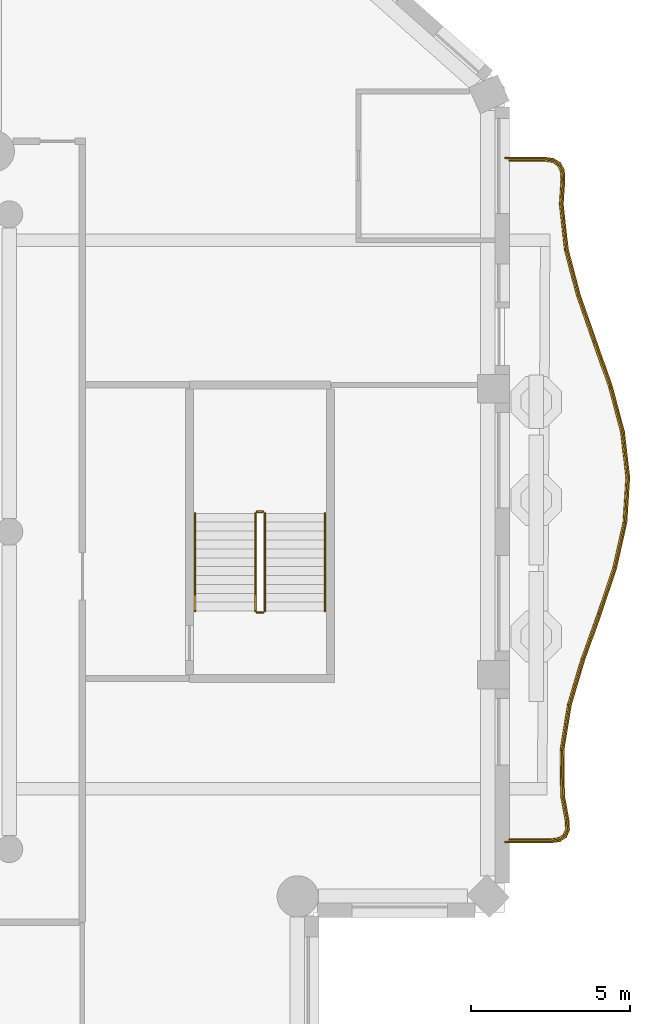
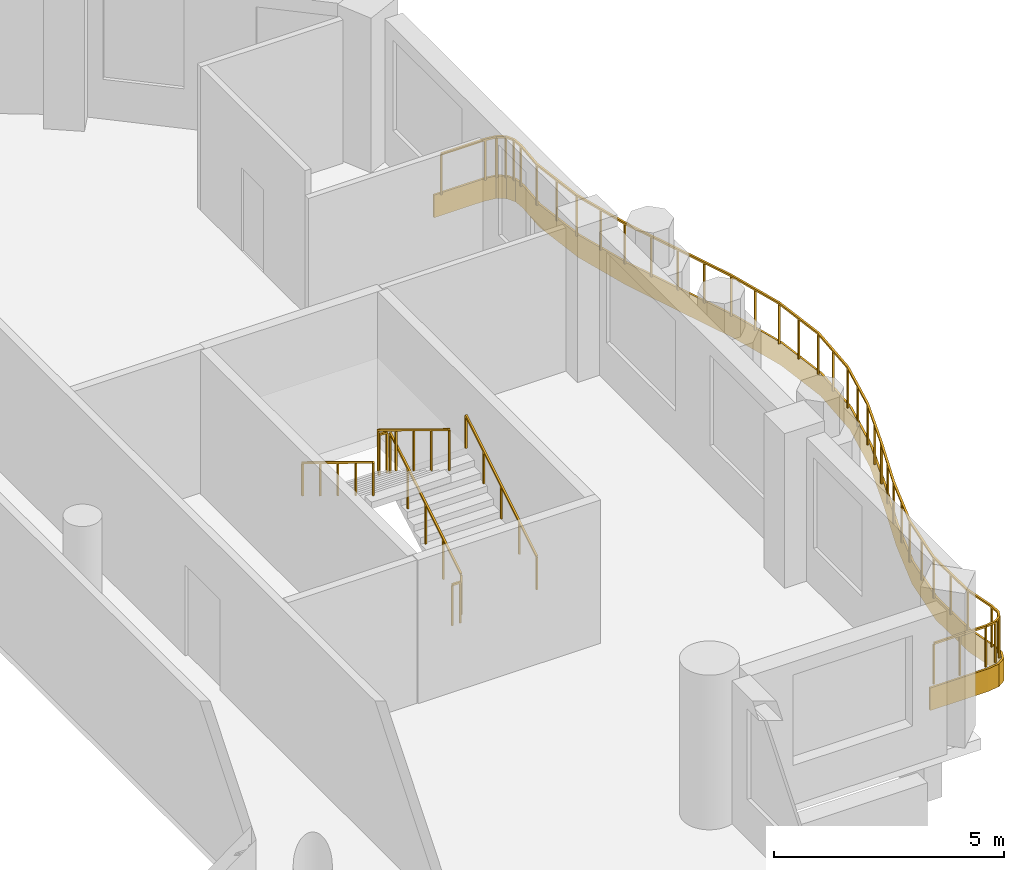
# One storey, part 12 of 14: 7 railings, 1 covering.
"""IFC4 building model written with IfcOpenShell, lengths in metres."""

from ifc_helpers import new_model, si_unit, direction, frame, origin, origin_2d, place, context, subcontext, project, spatial, polyline, rectangle, outline, extrude, material, layer, layer_set, type_object, element, save


model = new_model("IFC4")

# Units and contexts
model_context = context("Model", 3, precision=1e-05, world=origin(), true_north=direction((0.0, 1.0)))
body_context = subcontext(model_context, "Body", "Model", "MODEL_VIEW")
ifc_project = project(units=[si_unit("LENGTHUNIT", "METRE"), si_unit("AREAUNIT", "SQUARE_METRE"), si_unit("VOLUMEUNIT", "CUBIC_METRE"), si_unit("PLANEANGLEUNIT", "RADIAN"), si_unit("MASSUNIT", "GRAM", prefix="KILO")], contexts=[model_context])

# Site, building, storey
site_placement = place(None, origin())
site = spatial("IfcSite", under=ifc_project, at=site_placement, CompositionType="ELEMENT")
building_placement = place(site_placement, origin())
building = spatial("IfcBuilding", under=site, at=building_placement, Name="Cypress Arch Tower", CompositionType="ELEMENT")
storey_placement = place(building_placement, frame((0.0, 0.0, 304.89990234375)))
storey = spatial("IfcBuildingStorey", under=building, at=storey_placement, Name="L69", CompositionType="ELEMENT", Elevation=304.89990234375)

# Covering
ifc_material_1 = material(Name="White powder-coated aluminium fascia", Category="aluminium")
ifc_layer = layer(ifc_material_1, 0.050048828125)
ifc_layer_set = layer_set([ifc_layer], Name="Balcony fascia BF50")
covering_type = type_object("IfcCoveringType", Name="Balcony fascia BF50", PredefinedType="CLADDING", material=ifc_layer_set)
covering_placement = place(storey_placement, frame((0.0, 0.0, -0.599853515625)))
element("IfcCovering", 1, at=covering_placement, inside=storey, type_object=covering_type, Name="Balcony fascia L69-C17", PredefinedType="CLADDING", context=body_context, shape_type="SweptSolid", body=[
    extrude(outline(polyline([(25.85546875, 11.800048828125), (26.149658203125, 11.757568359375), (26.36376953125, 11.6240234375), (26.482666015625, 11.4013671875), (26.505126953125, 11.105224609375), (26.452392578125, 10.31787109375), (26.612060546875, 8.892578125), (26.98876953125, 7.464599609375), (27.490966796875, 6.033203125), (27.99609375, 4.59814453125), (28.3798828125, 3.159423828125), (28.547119140625, 1.718017578125), (28.456298828125, 0.276123046875), (28.130126953125, -1.16357421875), (27.6494140625, -2.599853515625), (27.132568359375, -4.0322265625), (26.706298828125, -5.461181640625), (26.474365234375, -6.886962890625), (26.492431640625, -8.311767578125), (26.637939453125, -9.099365234375), (26.64990234375, -9.396484375), (26.553955078125, -9.6220703125), (26.349365234375, -9.757568359375), (26.05517578125, -9.800048828125), (24.60107421875, -9.800048828125), (24.60107421875, -9.75), (26.051513671875, -9.75), (26.3310546875, -9.709716796875), (26.513671875, -9.5888671875), (26.599365234375, -9.38720703125), (26.588134765625, -9.10498046875), (26.4423828125, -8.316650390625), (26.42431640625, -6.88330078125), (26.657470703125, -5.449951171875), (27.085205078125, -4.0166015625), (27.602294921875, -2.583251953125), (28.081787109375, -1.14990234375), (28.40673828125, 0.283447265625), (28.4970703125, 1.716552734375), (28.33056640625, 3.14990234375), (27.9482421875, 4.583251953125), (27.44384765625, 6.0166015625), (26.94091796875, 7.449951171875), (26.562744140625, 8.88330078125), (26.402099609375, 10.316650390625), (26.455078125, 11.10498046875), (26.43359375, 11.38720703125), (26.325927734375, 11.5888671875), (26.132080078125, 11.709716796875), (25.851806640625, 11.75), (24.60107421875, 11.75), (24.60107421875, 11.800048828125), (25.85546875, 11.800048828125)])), origin(), (0.0, 0.0, 1.0), 0.599853515625),
])

# Railings
ifc_material_2 = material(Name="Powder-coated steel posts and rods, 100 mm clear between rods", Category="steel")
railing_type_1 = type_object("IfcRailingType", Name="Balcony guard GR1100", PredefinedType="GUARDRAIL", material=ifc_material_2)
railing_1_placement = place(storey_placement, frame((24.75, 11.699951171875, 0.0)))
element("IfcRailing", 2, at=railing_1_placement, inside=storey, type_object=railing_type_1, Name="Balcony guard L69-C17", PredefinedType="GUARDRAIL", context=body_context, shape_type="SweptSolid", body=[
    extrude(rectangle(XDim=0.050048828125, YDim=0.050048828125, at=origin_2d()), frame((0.0, 0.0, 1.0751953125), z_axis=(1.0, 0.0, 0.0), x_axis=(0.0, 1.0, 0.0)), (0.0, 0.0, 1.0), 1.098388671875),
    extrude(rectangle(XDim=0.050048828125, YDim=0.050048828125, at=origin_2d()), frame((1.098388671875, 0.0, 1.0751953125), z_axis=(0.989785381673, -0.14256541736, 0.0), x_axis=(0.14256541736, 0.989785381673, 0.0)), (0.0, 0.0, 1.0), 0.268798828125),
    extrude(rectangle(XDim=0.050048828125, YDim=0.050048828125, at=origin_2d()), frame((1.364501953125, -0.038330078125, 1.0751953125), z_axis=(0.848735174941, -0.528818118845, 0.0), x_axis=(0.528818118845, 0.848735174941, 0.0)), (0.0, 0.0, 1.0), 0.20458984375),
    extrude(rectangle(XDim=0.050048828125, YDim=0.050048828125, at=origin_2d()), frame((1.5380859375, -0.146484375, 1.0751953125), z_axis=(0.470897586762, -0.88218788406, 0.0), x_axis=(0.88218788406, 0.470897586762, 0.0)), (0.0, 0.0, 1.0), 0.204833984375),
    extrude(rectangle(XDim=0.050048828125, YDim=0.050048828125, at=origin_2d()), frame((1.634521484375, -0.3271484375, 1.0751953125), z_axis=(0.076279837613, -0.997086448797, 0.0), x_axis=(0.997086448797, 0.076279837613, 0.0)), (0.0, 0.0, 1.0), 0.268798828125),
    extrude(rectangle(XDim=0.050048828125, YDim=0.050048828125, at=origin_2d()), frame((1.655029296875, -0.59521484375, 1.0751953125), z_axis=(-0.06696963749, -0.997755013846, 0.0), x_axis=(0.997755013846, -0.06696963749, 0.0)), (0.0, 0.0, 1.0), 0.791015625),
    extrude(rectangle(XDim=0.050048828125, YDim=0.050048828125, at=origin_2d()), frame((1.60205078125, -1.384521484375, 1.0751953125), z_axis=(0.1112628489, -0.99379101347, 0.0), x_axis=(0.99379101347, 0.1112628489, 0.0)), (0.0, 0.0, 1.0), 1.450439453125),
    extrude(rectangle(XDim=0.050048828125, YDim=0.050048828125, at=origin_2d()), frame((1.763427734375, -2.825927734375, 1.0751953125), z_axis=(0.255139347822, -0.966904293709, 0.0), x_axis=(0.966904293709, 0.255139347822, 0.0)), (0.0, 0.0, 1.0), 1.488037109375),
    extrude(rectangle(XDim=0.050048828125, YDim=0.050048828125, at=origin_2d()), frame((2.14306640625, -4.2646484375, 1.0751953125), z_axis=(0.331115291581, -0.943590304995, 0.0), x_axis=(0.943590304995, 0.331115291581, 0.0)), (0.0, 0.0, 1.0), 1.52099609375),
    extrude(rectangle(XDim=0.050048828125, YDim=0.050048828125, at=origin_2d()), frame((2.646728515625, -5.699951171875, 1.0751953125), z_axis=(0.332062622472, -0.943257342806, 0.0), x_axis=(0.943257342806, 0.332062622472, 0.0)), (0.0, 0.0, 1.0), 1.517578125),
    extrude(rectangle(XDim=0.050048828125, YDim=0.050048828125, at=origin_2d()), frame((3.150634765625, -7.13134765625, 1.0751953125), z_axis=(0.257549543856, -0.966265094299, 0.0), x_axis=(0.966265094299, 0.257549543856, 0.0)), (0.0, 0.0, 1.0), 1.477783203125),
    extrude(rectangle(XDim=0.050048828125, YDim=0.050048828125, at=origin_2d()), frame((3.53125, -8.559326171875, 1.0751953125), z_axis=(0.115360307914, -0.993323713277, 0.0), x_axis=(0.993323713277, 0.115360307914, 0.0)), (0.0, 0.0, 1.0), 1.434814453125),
    extrude(rectangle(XDim=0.050048828125, YDim=0.050048828125, at=origin_2d()), frame((3.69677734375, -9.984619140625, 1.0751953125), z_axis=(-0.062761562336, -0.998028549839, 0.0), x_axis=(0.998028549839, -0.062761562336, 0.0)), (0.0, 0.0, 1.0), 1.427734375),
    extrude(rectangle(XDim=0.050048828125, YDim=0.050048828125, at=origin_2d()), frame((3.607177734375, -11.409423828125, 1.0751953125), z_axis=(-0.221080190505, -0.97525563283, 0.0), x_axis=(0.97525563283, -0.221080190505, 0.0)), (0.0, 0.0, 1.0), 1.463134765625),
    extrude(rectangle(XDim=0.050048828125, YDim=0.050048828125, at=origin_2d()), frame((3.28369140625, -12.83642578125, 1.0751953125), z_axis=(-0.317392865854, -0.948294136175, 0.0), x_axis=(0.948294136175, -0.317392865854, 0.0)), (0.0, 0.0, 1.0), 1.50830078125),
    extrude(rectangle(XDim=0.050048828125, YDim=0.050048828125, at=origin_2d()), frame((2.804931640625, -14.266845703125, 1.0751953125), z_axis=(-0.339337500822, -0.94066469081, 0.0), x_axis=(0.94066469081, -0.339337500822, 0.0)), (0.0, 0.0, 1.0), 1.524658203125),
    extrude(rectangle(XDim=0.050048828125, YDim=0.050048828125, at=origin_2d()), frame((2.28759765625, -15.700927734375, 1.0751953125), z_axis=(-0.285899496159, -0.958259608924, 0.0), x_axis=(0.958259608924, -0.285899496159, 0.0)), (0.0, 0.0, 1.0), 1.50048828125),
    extrude(rectangle(XDim=0.050048828125, YDim=0.050048828125, at=origin_2d()), frame((1.858642578125, -17.138671875, 1.0751953125), z_axis=(-0.160546781235, -0.987028232137, 0.0), x_axis=(0.987028232137, -0.160546781235, 0.0)), (0.0, 0.0, 1.0), 1.4599609375),
    extrude(rectangle(XDim=0.050048828125, YDim=0.050048828125, at=origin_2d()), frame((1.624267578125, -18.57958984375, 1.0751953125), z_axis=(0.012528647476, -0.999921513416, 0.0), x_axis=(0.999921513416, 0.012528647476, 0.0)), (0.0, 0.0, 1.0), 1.44189453125),
    extrude(rectangle(XDim=0.050048828125, YDim=0.050048828125, at=origin_2d()), frame((1.642333984375, -20.021484375, 1.0751953125), z_axis=(0.181936733473, -0.983310238436, 0.0), x_axis=(0.983310238436, 0.181936733473, 0.0)), (0.0, 0.0, 1.0), 0.802490234375),
    extrude(rectangle(XDim=0.050048828125, YDim=0.050048828125, at=origin_2d()), frame((1.788330078125, -20.810546875, 1.0751953125), z_axis=(0.040150247273, -0.999193653725, 0.0), x_axis=(0.999193653725, 0.040150247273, 0.0)), (0.0, 0.0, 1.0), 0.267578125),
    extrude(rectangle(XDim=0.050048828125, YDim=0.050048828125, at=origin_2d()), frame((1.799072265625, -21.077880859375, 1.0751953125), z_axis=(-0.391167446194, -0.920319525512, 0.0), x_axis=(0.920319525512, -0.391167446194, 0.0)), (0.0, 0.0, 1.0), 0.19287109375),
    extrude(rectangle(XDim=0.050048828125, YDim=0.050048828125, at=origin_2d()), frame((1.7236328125, -21.25537109375, 1.0751953125), z_axis=(-0.833992156546, -0.551776297806, 0.0), x_axis=(0.551776297806, -0.833992156546, 0.0)), (0.0, 0.0, 1.0), 0.19287109375),
    extrude(rectangle(XDim=0.050048828125, YDim=0.050048828125, at=origin_2d()), frame((1.562744140625, -21.36181640625, 1.0751953125), z_axis=(-0.989802869056, -0.142443955325, 0.0), x_axis=(0.142443955325, -0.989802869056, 0.0)), (0.0, 0.0, 1.0), 0.267333984375),
    extrude(rectangle(XDim=0.050048828125, YDim=0.050048828125, at=origin_2d()), frame((1.298095703125, -21.39990234375, 1.0751953125), z_axis=(-1.0, 0.0, 0.0), x_axis=(0.0, -1.0, 0.0)), (0.0, 0.0, 1.0), 1.298095703125),
    extrude(rectangle(XDim=0.0400390625, YDim=0.0400390625, at=origin_2d()), origin(), (0.0, 0.0, 1.0), 1.050048828125),
    extrude(rectangle(XDim=0.0400390625, YDim=0.0400390625, at=origin_2d()), frame((1.098388671875, 0.0, 0.0)), (0.0, 0.0, 1.0), 1.050048828125),
    extrude(rectangle(XDim=0.0400390625, YDim=0.0400390625, at=origin_2d()), frame((1.364501953125, -0.038330078125, 0.0)), (0.0, 0.0, 1.0), 1.050048828125),
    extrude(rectangle(XDim=0.0400390625, YDim=0.0400390625, at=origin_2d()), frame((1.5380859375, -0.146484375, 0.0)), (0.0, 0.0, 1.0), 1.050048828125),
    extrude(rectangle(XDim=0.0400390625, YDim=0.0400390625, at=origin_2d()), frame((1.634521484375, -0.3271484375, 0.0)), (0.0, 0.0, 1.0), 1.050048828125),
    extrude(rectangle(XDim=0.0400390625, YDim=0.0400390625, at=origin_2d()), frame((1.655029296875, -0.59521484375, 0.0)), (0.0, 0.0, 1.0), 1.050048828125),
    extrude(rectangle(XDim=0.0400390625, YDim=0.0400390625, at=origin_2d()), frame((1.60205078125, -1.384521484375, 0.0)), (0.0, 0.0, 1.0), 1.050048828125),
    extrude(rectangle(XDim=0.0400390625, YDim=0.0400390625, at=origin_2d()), frame((1.6826171875, -2.105224609375, 0.0)), (0.0, 0.0, 1.0), 1.050048828125),
    extrude(rectangle(XDim=0.0400390625, YDim=0.0400390625, at=origin_2d()), frame((1.763427734375, -2.825927734375, 0.0)), (0.0, 0.0, 1.0), 1.050048828125),
    extrude(rectangle(XDim=0.0400390625, YDim=0.0400390625, at=origin_2d()), frame((1.953125, -3.54541015625, 0.0)), (0.0, 0.0, 1.0), 1.050048828125),
    extrude(rectangle(XDim=0.0400390625, YDim=0.0400390625, at=origin_2d()), frame((2.14306640625, -4.2646484375, 0.0)), (0.0, 0.0, 1.0), 1.050048828125),
    extrude(rectangle(XDim=0.0400390625, YDim=0.0400390625, at=origin_2d()), frame((2.39501953125, -4.982421875, 0.0)), (0.0, 0.0, 1.0), 1.050048828125),
    extrude(rectangle(XDim=0.0400390625, YDim=0.0400390625, at=origin_2d()), frame((2.646728515625, -5.699951171875, 0.0)), (0.0, 0.0, 1.0), 1.050048828125),
    extrude(rectangle(XDim=0.0400390625, YDim=0.0400390625, at=origin_2d()), frame((2.898681640625, -6.41552734375, 0.0)), (0.0, 0.0, 1.0), 1.050048828125),
    extrude(rectangle(XDim=0.0400390625, YDim=0.0400390625, at=origin_2d()), frame((3.150634765625, -7.13134765625, 0.0)), (0.0, 0.0, 1.0), 1.050048828125),
    extrude(rectangle(XDim=0.0400390625, YDim=0.0400390625, at=origin_2d()), frame((3.3408203125, -7.84521484375, 0.0)), (0.0, 0.0, 1.0), 1.050048828125),
    extrude(rectangle(XDim=0.0400390625, YDim=0.0400390625, at=origin_2d()), frame((3.53125, -8.559326171875, 0.0)), (0.0, 0.0, 1.0), 1.050048828125),
    extrude(rectangle(XDim=0.0400390625, YDim=0.0400390625, at=origin_2d()), frame((3.614013671875, -9.27197265625, 0.0)), (0.0, 0.0, 1.0), 1.050048828125),
    extrude(rectangle(XDim=0.0400390625, YDim=0.0400390625, at=origin_2d()), frame((3.69677734375, -9.984619140625, 0.0)), (0.0, 0.0, 1.0), 1.050048828125),
    extrude(rectangle(XDim=0.0400390625, YDim=0.0400390625, at=origin_2d()), frame((3.65185546875, -10.697021484375, 0.0)), (0.0, 0.0, 1.0), 1.050048828125),
    extrude(rectangle(XDim=0.0400390625, YDim=0.0400390625, at=origin_2d()), frame((3.607177734375, -11.409423828125, 0.0)), (0.0, 0.0, 1.0), 1.050048828125),
    extrude(rectangle(XDim=0.0400390625, YDim=0.0400390625, at=origin_2d()), frame((3.4453125, -12.123046875, 0.0)), (0.0, 0.0, 1.0), 1.050048828125),
    extrude(rectangle(XDim=0.0400390625, YDim=0.0400390625, at=origin_2d()), frame((3.28369140625, -12.83642578125, 0.0)), (0.0, 0.0, 1.0), 1.050048828125),
    extrude(rectangle(XDim=0.0400390625, YDim=0.0400390625, at=origin_2d()), frame((3.04443359375, -13.5517578125, 0.0)), (0.0, 0.0, 1.0), 1.050048828125),
    extrude(rectangle(XDim=0.0400390625, YDim=0.0400390625, at=origin_2d()), frame((2.804931640625, -14.266845703125, 0.0)), (0.0, 0.0, 1.0), 1.050048828125),
    extrude(rectangle(XDim=0.0400390625, YDim=0.0400390625, at=origin_2d()), frame((2.54638671875, -14.98388671875, 0.0)), (0.0, 0.0, 1.0), 1.050048828125),
    extrude(rectangle(XDim=0.0400390625, YDim=0.0400390625, at=origin_2d()), frame((2.28759765625, -15.700927734375, 0.0)), (0.0, 0.0, 1.0), 1.050048828125),
    extrude(rectangle(XDim=0.0400390625, YDim=0.0400390625, at=origin_2d()), frame((2.0732421875, -16.419921875, 0.0)), (0.0, 0.0, 1.0), 1.050048828125),
    extrude(rectangle(XDim=0.0400390625, YDim=0.0400390625, at=origin_2d()), frame((1.858642578125, -17.138671875, 0.0)), (0.0, 0.0, 1.0), 1.050048828125),
    extrude(rectangle(XDim=0.0400390625, YDim=0.0400390625, at=origin_2d()), frame((1.741455078125, -17.859130859375, 0.0)), (0.0, 0.0, 1.0), 1.050048828125),
    extrude(rectangle(XDim=0.0400390625, YDim=0.0400390625, at=origin_2d()), frame((1.624267578125, -18.57958984375, 0.0)), (0.0, 0.0, 1.0), 1.050048828125),
    extrude(rectangle(XDim=0.0400390625, YDim=0.0400390625, at=origin_2d()), frame((1.63330078125, -19.300537109375, 0.0)), (0.0, 0.0, 1.0), 1.050048828125),
    extrude(rectangle(XDim=0.0400390625, YDim=0.0400390625, at=origin_2d()), frame((1.642333984375, -20.021484375, 0.0)), (0.0, 0.0, 1.0), 1.050048828125),
    extrude(rectangle(XDim=0.0400390625, YDim=0.0400390625, at=origin_2d()), frame((1.788330078125, -20.810546875, 0.0)), (0.0, 0.0, 1.0), 1.050048828125),
    extrude(rectangle(XDim=0.0400390625, YDim=0.0400390625, at=origin_2d()), frame((1.799072265625, -21.077880859375, 0.0)), (0.0, 0.0, 1.0), 1.050048828125),
    extrude(rectangle(XDim=0.0400390625, YDim=0.0400390625, at=origin_2d()), frame((1.7236328125, -21.25537109375, 0.0)), (0.0, 0.0, 1.0), 1.050048828125),
    extrude(rectangle(XDim=0.0400390625, YDim=0.0400390625, at=origin_2d()), frame((1.562744140625, -21.36181640625, 0.0)), (0.0, 0.0, 1.0), 1.050048828125),
    extrude(rectangle(XDim=0.0400390625, YDim=0.0400390625, at=origin_2d()), frame((1.298095703125, -21.39990234375, 0.0)), (0.0, 0.0, 1.0), 1.050048828125),
    extrude(rectangle(XDim=0.0400390625, YDim=0.0400390625, at=origin_2d()), frame((0.64892578125, -21.39990234375, 0.0)), (0.0, 0.0, 1.0), 1.050048828125),
    extrude(rectangle(XDim=0.0400390625, YDim=0.0400390625, at=origin_2d()), frame((0.0, -21.39990234375, 0.0)), (0.0, 0.0, 1.0), 1.050048828125),
])
ifc_material_3 = material(Name="Black powder-coated steel square bar 48 mm", Category="steel")
railing_type_2 = type_object("IfcRailingType", Name="Stair handrail HR1", PredefinedType="HANDRAIL", material=ifc_material_3)
railing_2_placement = place(storey_placement, frame((18.949951171875, -2.5, 0.1708984375)))
element("IfcRailing", 3, at=railing_2_placement, inside=storey, type_object=railing_type_2, Name="L69 C stair handrail 1", PredefinedType="HANDRAIL", context=body_context, shape_type="SweptSolid", body=[
    extrude(rectangle(XDim=0.048095703125, YDim=0.048095703125, at=origin_2d()), frame((0.0, 0.0, 0.8759765625), z_axis=(0.0, 0.853666305674, 0.52082035152), x_axis=(-1.0, 0.0, 0.0)), (0.0, 0.0, 1.0), 3.608154296875),
    extrude(rectangle(XDim=0.0419921875, YDim=0.0419921875, at=origin_2d()), origin(), (0.0, 0.0, 1.0), 0.851806640625),
    extrude(rectangle(XDim=0.0419921875, YDim=0.0419921875, at=origin_2d()), frame((0.0, 0.77001953125, 0.4697265625)), (0.0, 0.0, 1.0), 0.851806640625),
    extrude(rectangle(XDim=0.0419921875, YDim=0.0419921875, at=origin_2d()), frame((0.0, 1.5400390625, 0.939453125)), (0.0, 0.0, 1.0), 0.851806640625),
    extrude(rectangle(XDim=0.0419921875, YDim=0.0419921875, at=origin_2d()), frame((0.0, 2.31005859375, 1.409423828125)), (0.0, 0.0, 1.0), 0.851806640625),
    extrude(rectangle(XDim=0.0419921875, YDim=0.0419921875, at=origin_2d()), frame((0.0, 3.080078125, 1.879150390625)), (0.0, 0.0, 1.0), 0.851806640625),
])
railing_3_placement = place(storey_placement, frame((14.85009765625, 0.580078125, 2.220947265625)))
element("IfcRailing", 4, at=railing_3_placement, inside=storey, type_object=railing_type_2, Name="L69 C stair handrail 2", PredefinedType="HANDRAIL", context=body_context, shape_type="SweptSolid", body=[
    extrude(rectangle(XDim=0.048095703125, YDim=0.048095703125, at=origin_2d()), frame((0.0, 0.0, 0.8759765625), z_axis=(0.0, -0.853666305674, 0.52082035152), x_axis=(1.0, 0.0, 0.0)), (0.0, 0.0, 1.0), 3.608154296875),
    extrude(rectangle(XDim=0.0419921875, YDim=0.0419921875, at=origin_2d()), origin(), (0.0, 0.0, 1.0), 0.851806640625),
    extrude(rectangle(XDim=0.0419921875, YDim=0.0419921875, at=origin_2d()), frame((0.0, -0.77001953125, 0.4697265625)), (0.0, 0.0, 1.0), 0.851806640625),
    extrude(rectangle(XDim=0.0419921875, YDim=0.0419921875, at=origin_2d()), frame((0.0, -1.5400390625, 0.939453125)), (0.0, 0.0, 1.0), 0.851806640625),
    extrude(rectangle(XDim=0.0419921875, YDim=0.0419921875, at=origin_2d()), frame((0.0, -2.31005859375, 1.409423828125)), (0.0, 0.0, 1.0), 0.851806640625),
    extrude(rectangle(XDim=0.0419921875, YDim=0.0419921875, at=origin_2d()), frame((0.0, -3.080078125, 1.879150390625)), (0.0, 0.0, 1.0), 0.851806640625),
])
ifc_material_4 = material(Name="Black powder-coated steel balusters", Category="steel")
railing_type_3 = type_object("IfcRailingType", Name="Stair well guard G1", PredefinedType="GUARDRAIL", material=ifc_material_4)
railing_4_placement = place(storey_placement, frame((17.050048828125, -2.5, 0.1708984375)))
element("IfcRailing", 5, at=railing_4_placement, inside=storey, type_object=railing_type_3, Name="L69 C stair guard 1", PredefinedType="GUARDRAIL", context=body_context, shape_type="SweptSolid", body=[
    extrude(rectangle(XDim=0.048095703125, YDim=0.048095703125, at=origin_2d()), frame((0.0, 0.0, 1.076171875), z_axis=(0.0, 0.853666305674, 0.52082035152), x_axis=(-1.0, 0.0, 0.0)), (0.0, 0.0, 1.0), 3.608154296875),
    extrude(rectangle(XDim=0.0419921875, YDim=0.0419921875, at=origin_2d()), origin(), (0.0, 0.0, 1.0), 1.052001953125),
    extrude(rectangle(XDim=0.0419921875, YDim=0.0419921875, at=origin_2d()), frame((0.0, 0.77001953125, 0.4697265625)), (0.0, 0.0, 1.0), 1.052001953125),
    extrude(rectangle(XDim=0.0419921875, YDim=0.0419921875, at=origin_2d()), frame((0.0, 1.5400390625, 0.939453125)), (0.0, 0.0, 1.0), 1.052001953125),
    extrude(rectangle(XDim=0.0419921875, YDim=0.0419921875, at=origin_2d()), frame((0.0, 2.31005859375, 1.409423828125)), (0.0, 0.0, 1.0), 1.052001953125),
    extrude(rectangle(XDim=0.0419921875, YDim=0.0419921875, at=origin_2d()), frame((0.0, 3.080078125, 1.879150390625)), (0.0, 0.0, 1.0), 1.052001953125),
])
railing_5_placement = place(storey_placement, frame((17.0, 0.6298828125, 2.050048828125)))
element("IfcRailing", 6, at=railing_5_placement, inside=storey, type_object=railing_type_3, Name="L69 C stair guard 2", PredefinedType="GUARDRAIL", context=body_context, shape_type="SweptSolid", body=[
    extrude(rectangle(XDim=0.048095703125, YDim=0.048095703125, at=origin_2d()), frame((0.0, 0.0, 1.076171875), z_axis=(-1.0, 0.0, 0.0), x_axis=(0.0, -1.0, 0.0)), (0.0, 0.0, 1.0), 0.199951171875),
    extrude(rectangle(XDim=0.0419921875, YDim=0.0419921875, at=origin_2d()), origin(), (0.0, 0.0, 1.0), 1.052001953125),
    extrude(rectangle(XDim=0.0419921875, YDim=0.0419921875, at=origin_2d()), frame((-0.199951171875, 0.0, 0.0)), (0.0, 0.0, 1.0), 1.052001953125),
])
railing_6_placement = place(storey_placement, frame((16.75, 0.580078125, 2.220947265625)))
element("IfcRailing", 7, at=railing_6_placement, inside=storey, type_object=railing_type_3, Name="L69 C stair guard 3", PredefinedType="GUARDRAIL", context=body_context, shape_type="SweptSolid", body=[
    extrude(rectangle(XDim=0.048095703125, YDim=0.048095703125, at=origin_2d()), frame((0.0, 0.0, 1.076171875), z_axis=(0.0, -0.853666305674, 0.52082035152), x_axis=(1.0, 0.0, 0.0)), (0.0, 0.0, 1.0), 3.608154296875),
    extrude(rectangle(XDim=0.0419921875, YDim=0.0419921875, at=origin_2d()), origin(), (0.0, 0.0, 1.0), 1.052001953125),
    extrude(rectangle(XDim=0.0419921875, YDim=0.0419921875, at=origin_2d()), frame((0.0, -0.77001953125, 0.4697265625)), (0.0, 0.0, 1.0), 1.052001953125),
    extrude(rectangle(XDim=0.0419921875, YDim=0.0419921875, at=origin_2d()), frame((0.0, -1.5400390625, 0.939453125)), (0.0, 0.0, 1.0), 1.052001953125),
    extrude(rectangle(XDim=0.0419921875, YDim=0.0419921875, at=origin_2d()), frame((0.0, -2.31005859375, 1.409423828125)), (0.0, 0.0, 1.0), 1.052001953125),
    extrude(rectangle(XDim=0.0419921875, YDim=0.0419921875, at=origin_2d()), frame((0.0, -3.080078125, 1.879150390625)), (0.0, 0.0, 1.0), 1.052001953125),
])
railing_7_placement = place(storey_placement, frame((17.0, -2.550048828125, 0.0)))
element("IfcRailing", 8, at=railing_7_placement, inside=storey, type_object=railing_type_3, Name="L69 C stair guard 4", PredefinedType="GUARDRAIL", context=body_context, shape_type="SweptSolid", body=[
    extrude(rectangle(XDim=0.048095703125, YDim=0.048095703125, at=origin_2d()), frame((0.0, 0.0, 1.076171875), z_axis=(-1.0, 0.0, 0.0), x_axis=(0.0, -1.0, 0.0)), (0.0, 0.0, 1.0), 0.199951171875),
    extrude(rectangle(XDim=0.0419921875, YDim=0.0419921875, at=origin_2d()), origin(), (0.0, 0.0, 1.0), 1.052001953125),
    extrude(rectangle(XDim=0.0419921875, YDim=0.0419921875, at=origin_2d()), frame((-0.199951171875, 0.0, 0.0)), (0.0, 0.0, 1.0), 1.052001953125),
])

save(model, "model.ifc")
